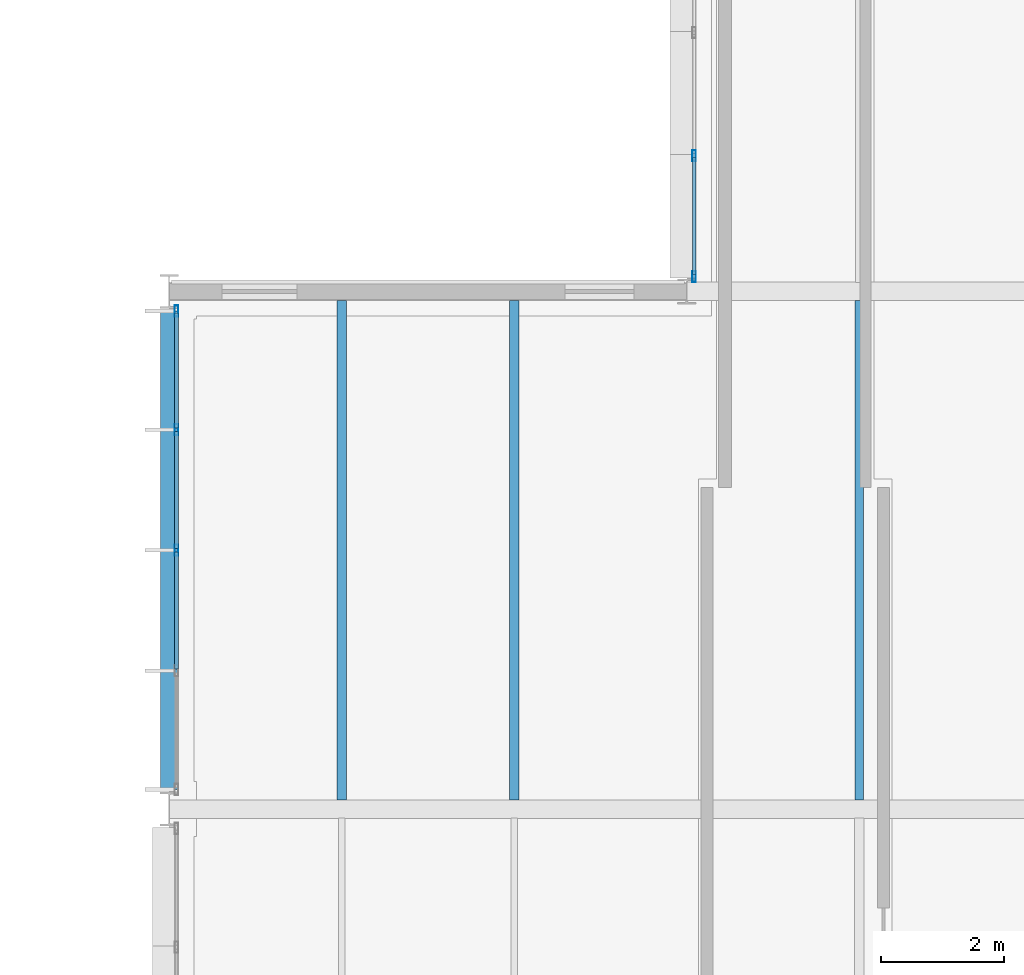
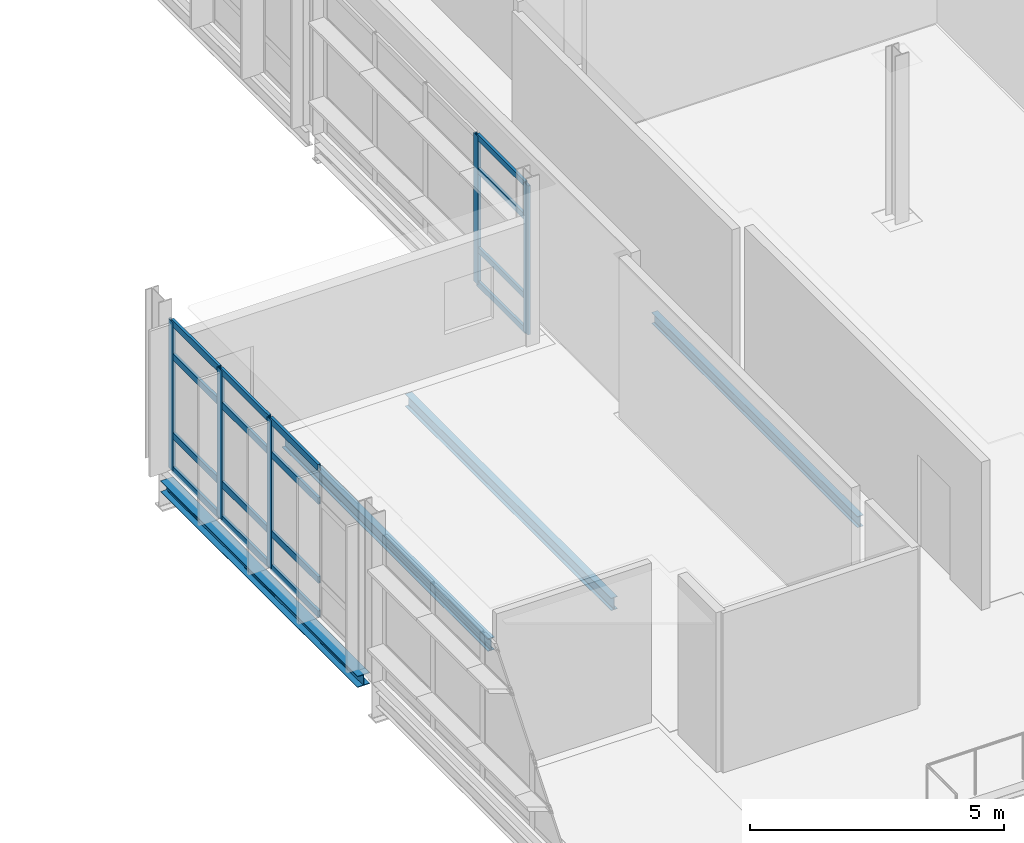
# One storey, part 58 of 151: 21 members, 4 beams, 2 elements without a shape of their own.
"""IFC4 building model written with IfcOpenShell, lengths in metres."""

from ifc_helpers import new_model, si_unit, direction, frame, origin, origin_2d, place, context, subcontext, project, spatial, hollow_rectangle, i_section, extrude, material, material_profile, profile_set, type_object, element, aggregate, save


model = new_model("IFC4")

# Units and contexts
model_context = context("Model", 3, precision=1e-05, world=origin(), true_north=direction((0.0, 1.0)))
body_context = subcontext(model_context, "Body", "Model", "MODEL_VIEW")
ifc_project = project(units=[si_unit("LENGTHUNIT", "METRE"), si_unit("AREAUNIT", "SQUARE_METRE"), si_unit("VOLUMEUNIT", "CUBIC_METRE"), si_unit("PLANEANGLEUNIT", "RADIAN"), si_unit("MASSUNIT", "GRAM", prefix="KILO")], contexts=[model_context])

# Site, building, storey
site_placement = place(None, origin())
site = spatial("IfcSite", under=ifc_project, at=site_placement, CompositionType="ELEMENT")
building_placement = place(site_placement, origin())
building = spatial("IfcBuilding", under=site, at=building_placement, Name="Mersafa Astral City Hall", CompositionType="ELEMENT")
storey_placement = place(building_placement, frame((0.0, 0.0, 9.89990234375)))
storey = spatial("IfcBuildingStorey", under=building, at=storey_placement, Name="L02", CompositionType="ELEMENT", Elevation=9.89990234375)

# Curtain wall, members
ifc_material_1 = material(Name="Anodised bronze aluminium framing", Category="aluminium")
curtain_wall_type_1 = type_object("IfcCurtainWallType", Name="ENV-CW-6", PredefinedType="USERDEFINED", material=ifc_material_1)
curtain_wall_1_placement = place(storey_placement, origin())
curtain_wall_1 = element("IfcCurtainWall", 1, at=curtain_wall_1_placement, inside=storey, type_object=curtain_wall_type_1, Name="L02 Unitised solar curtain wall 143", ObjectType="UNITISED CURTAIN WALL", PredefinedType="USERDEFINED")
ifc_material_profile_1 = material_profile(ifc_material_1, hollow_rectangle(XDim=0.06005859375, YDim=0.179931640625, WallThickness=0.00390625, at=origin_2d()), Name="RHS 60x180x4")
ifc_profile_set_1 = profile_set([ifc_material_profile_1], Name="Anodised bronze aluminium framing")
member_type_1 = type_object("IfcMemberType", Name="ENV-CW-MUL-1", PredefinedType="MULLION", material=ifc_profile_set_1)
member_1_placement = place(storey_placement, frame((100.919921875, 94.60595703125, -0.001953125), z_axis=(0.0, 0.0, 1.0), x_axis=(1.0, 0.0, 0.0)))
member_1 = element("IfcMember", 2, at=member_1_placement, type_object=member_type_1, Name="CW-6 mullion 4", PredefinedType="MULLION", context=body_context, shape_type="SweptSolid", body=[
    extrude(hollow_rectangle(XDim=0.06005859375, YDim=0.179931640625, WallThickness=0.00390625, at=origin_2d()), origin(), (0.0, 0.0, 1.0), 3.5791015625),
])
member_2_placement = place(storey_placement, frame((100.919921875, 92.64208984375, -0.001953125), z_axis=(0.0, 0.0, 1.0), x_axis=(1.0, 0.0, 0.0)))
member_2 = element("IfcMember", 3, at=member_2_placement, type_object=member_type_1, Name="CW-6 mullion 5", PredefinedType="MULLION", context=body_context, shape_type="SweptSolid", body=[
    extrude(hollow_rectangle(XDim=0.06005859375, YDim=0.179931640625, WallThickness=0.00390625, at=origin_2d()), origin(), (0.0, 0.0, 1.0), 3.5791015625),
])

curtain_wall_type_2 = type_object("IfcCurtainWallType", Name="ENV-CW-1", PredefinedType="USERDEFINED", material=ifc_material_1)
curtain_wall_2_placement = place(storey_placement, origin())
curtain_wall_2 = element("IfcCurtainWall", 4, at=curtain_wall_2_placement, inside=storey, type_object=curtain_wall_type_2, Name="L02 Unitised solar curtain wall 144", ObjectType="UNITISED CURTAIN WALL", PredefinedType="USERDEFINED")
member_3_placement = place(storey_placement, frame((92.52001953125, 92.0830078125, -0.001953125), z_axis=(0.0, 0.0, 1.0), x_axis=(1.0, 0.0, 0.0)))
member_3 = element("IfcMember", 5, at=member_3_placement, type_object=member_type_1, Name="CW-1 mullion 1", PredefinedType="MULLION", context=body_context, shape_type="SweptSolid", body=[
    extrude(hollow_rectangle(XDim=0.06005859375, YDim=0.179931640625, WallThickness=0.00390625, at=origin_2d()), origin(), (0.0, 0.0, 1.0), 3.5791015625),
])
member_4_placement = place(storey_placement, frame((92.52001953125, 90.156494140625, -0.001953125), z_axis=(0.0, 0.0, 1.0), x_axis=(1.0, 0.0, 0.0)))
member_4 = element("IfcMember", 6, at=member_4_placement, type_object=member_type_1, Name="CW-1 mullion 2", PredefinedType="MULLION", context=body_context, shape_type="SweptSolid", body=[
    extrude(hollow_rectangle(XDim=0.06005859375, YDim=0.179931640625, WallThickness=0.00390625, at=origin_2d()), origin(), (0.0, 0.0, 1.0), 3.5791015625),
])
member_5_placement = place(storey_placement, frame((92.52001953125, 88.199951171875, -0.001953125), z_axis=(0.0, 0.0, 1.0), x_axis=(1.0, 0.0, 0.0)))
member_5 = element("IfcMember", 7, at=member_5_placement, type_object=member_type_1, Name="CW-1 mullion 3", PredefinedType="MULLION", context=body_context, shape_type="SweptSolid", body=[
    extrude(hollow_rectangle(XDim=0.06005859375, YDim=0.179931640625, WallThickness=0.00390625, at=origin_2d()), origin(), (0.0, 0.0, 1.0), 3.5791015625),
])

# Member
ifc_material_profile_2 = material_profile(ifc_material_1, hollow_rectangle(XDim=0.06005859375, YDim=0.139892578125, WallThickness=0.00390625, at=origin_2d()), Name="RHS 60x140x4")
ifc_profile_set_2 = profile_set([ifc_material_profile_2], Name="Anodised bronze aluminium framing")
member_type_2 = type_object("IfcMemberType", Name="ENV-CW-TRN-1", PredefinedType="USERDEFINED", material=ifc_profile_set_2)
member_6_placement = place(storey_placement, frame((100.919921875, 94.575927734375, 0.028076171875), z_axis=(0.0, -1.0, 0.0), x_axis=(1.0, 0.0, 0.0)))
member_6 = element("IfcMember", 8, at=member_6_placement, type_object=member_type_2, Name="CW-6 transom 4.1", ObjectType="TRANSOM", PredefinedType="USERDEFINED", context=body_context, shape_type="SweptSolid", body=[
    extrude(hollow_rectangle(XDim=0.06005859375, YDim=0.139892578125, WallThickness=0.00390625, at=origin_2d()), origin(), (0.0, 0.0, 1.0), 1.90380859375),
])

member_7_placement = place(storey_placement, frame((100.919921875, 94.575927734375, 0.85009765625), z_axis=(0.0, -1.0, 0.0), x_axis=(1.0, 0.0, 0.0)))
member_7 = element("IfcMember", 9, at=member_7_placement, type_object=member_type_2, Name="CW-6 transom 4.2", ObjectType="TRANSOM", PredefinedType="USERDEFINED", context=body_context, shape_type="SweptSolid", body=[
    extrude(hollow_rectangle(XDim=0.06005859375, YDim=0.139892578125, WallThickness=0.00390625, at=origin_2d()), origin(), (0.0, 0.0, 1.0), 1.90380859375),
])

member_8_placement = place(storey_placement, frame((100.919921875, 94.575927734375, 2.75), z_axis=(0.0, -1.0, 0.0), x_axis=(1.0, 0.0, 0.0)))
member_8 = element("IfcMember", 10, at=member_8_placement, type_object=member_type_2, Name="CW-6 transom 4.3", ObjectType="TRANSOM", PredefinedType="USERDEFINED", context=body_context, shape_type="SweptSolid", body=[
    extrude(hollow_rectangle(XDim=0.06005859375, YDim=0.139892578125, WallThickness=0.00390625, at=origin_2d()), origin(), (0.0, 0.0, 1.0), 1.90380859375),
])

member_9_placement = place(storey_placement, frame((100.919921875, 94.575927734375, 3.547119140625), z_axis=(0.0, -1.0, 0.0), x_axis=(1.0, 0.0, 0.0)))
member_9 = element("IfcMember", 11, at=member_9_placement, type_object=member_type_2, Name="CW-6 transom 4.4", ObjectType="TRANSOM", PredefinedType="USERDEFINED", context=body_context, shape_type="SweptSolid", body=[
    extrude(hollow_rectangle(XDim=0.06005859375, YDim=0.139892578125, WallThickness=0.00390625, at=origin_2d()), origin(), (0.0, 0.0, 1.0), 1.90380859375),
])

aggregate(curtain_wall_1, [member_1, member_2, member_6, member_7, member_8, member_9])

ifc_material_profile_3 = material_profile(ifc_material_1, hollow_rectangle(XDim=0.06005859375, YDim=0.159912109375, WallThickness=0.00390625, at=origin_2d()), Name="RHS 60x160x4")
ifc_profile_set_3 = profile_set([ifc_material_profile_3], Name="Anodised bronze aluminium framing")
member_type_3 = type_object("IfcMemberType", Name="ENV-CW-TRN-2", PredefinedType="USERDEFINED", material=ifc_profile_set_3)
member_10_placement = place(storey_placement, frame((92.52001953125, 92.052978515625, 0.028076171875), z_axis=(0.0, -1.0, 0.0), x_axis=(1.0, 0.0, 0.0)))
member_10 = element("IfcMember", 12, at=member_10_placement, type_object=member_type_3, Name="CW-1 transom 1.1", ObjectType="TRANSOM", PredefinedType="USERDEFINED", context=body_context, shape_type="SweptSolid", body=[
    extrude(hollow_rectangle(XDim=0.06005859375, YDim=0.159912109375, WallThickness=0.00390625, at=origin_2d()), origin(), (0.0, 0.0, 1.0), 1.866455078125),
])

member_11_placement = place(storey_placement, frame((92.52001953125, 92.052978515625, 0.85009765625), z_axis=(0.0, -1.0, 0.0), x_axis=(1.0, 0.0, 0.0)))
member_11 = element("IfcMember", 13, at=member_11_placement, type_object=member_type_3, Name="CW-1 transom 1.2", ObjectType="TRANSOM", PredefinedType="USERDEFINED", context=body_context, shape_type="SweptSolid", body=[
    extrude(hollow_rectangle(XDim=0.06005859375, YDim=0.159912109375, WallThickness=0.00390625, at=origin_2d()), origin(), (0.0, 0.0, 1.0), 1.866455078125),
])

member_12_placement = place(storey_placement, frame((92.52001953125, 92.052978515625, 2.75), z_axis=(0.0, -1.0, 0.0), x_axis=(1.0, 0.0, 0.0)))
member_12 = element("IfcMember", 14, at=member_12_placement, type_object=member_type_3, Name="CW-1 transom 1.3", ObjectType="TRANSOM", PredefinedType="USERDEFINED", context=body_context, shape_type="SweptSolid", body=[
    extrude(hollow_rectangle(XDim=0.06005859375, YDim=0.159912109375, WallThickness=0.00390625, at=origin_2d()), origin(), (0.0, 0.0, 1.0), 1.866455078125),
])

member_13_placement = place(storey_placement, frame((92.52001953125, 92.052978515625, 3.547119140625), z_axis=(0.0, -1.0, 0.0), x_axis=(1.0, 0.0, 0.0)))
member_13 = element("IfcMember", 15, at=member_13_placement, type_object=member_type_3, Name="CW-1 transom 1.4", ObjectType="TRANSOM", PredefinedType="USERDEFINED", context=body_context, shape_type="SweptSolid", body=[
    extrude(hollow_rectangle(XDim=0.06005859375, YDim=0.159912109375, WallThickness=0.00390625, at=origin_2d()), origin(), (0.0, 0.0, 1.0), 1.866455078125),
])

member_14_placement = place(storey_placement, frame((92.52001953125, 90.12646484375, 0.028076171875), z_axis=(0.0, -1.0, 0.0), x_axis=(1.0, 0.0, 0.0)))
member_14 = element("IfcMember", 16, at=member_14_placement, type_object=member_type_3, Name="CW-1 transom 2.1", ObjectType="TRANSOM", PredefinedType="USERDEFINED", context=body_context, shape_type="SweptSolid", body=[
    extrude(hollow_rectangle(XDim=0.06005859375, YDim=0.159912109375, WallThickness=0.00390625, at=origin_2d()), origin(), (0.0, 0.0, 1.0), 1.896484375),
])

member_15_placement = place(storey_placement, frame((92.52001953125, 90.12646484375, 0.85009765625), z_axis=(0.0, -1.0, 0.0), x_axis=(1.0, 0.0, 0.0)))
member_15 = element("IfcMember", 17, at=member_15_placement, type_object=member_type_3, Name="CW-1 transom 2.2", ObjectType="TRANSOM", PredefinedType="USERDEFINED", context=body_context, shape_type="SweptSolid", body=[
    extrude(hollow_rectangle(XDim=0.06005859375, YDim=0.159912109375, WallThickness=0.00390625, at=origin_2d()), origin(), (0.0, 0.0, 1.0), 1.896484375),
])

member_16_placement = place(storey_placement, frame((92.52001953125, 90.12646484375, 2.75), z_axis=(0.0, -1.0, 0.0), x_axis=(1.0, 0.0, 0.0)))
member_16 = element("IfcMember", 18, at=member_16_placement, type_object=member_type_3, Name="CW-1 transom 2.3", ObjectType="TRANSOM", PredefinedType="USERDEFINED", context=body_context, shape_type="SweptSolid", body=[
    extrude(hollow_rectangle(XDim=0.06005859375, YDim=0.159912109375, WallThickness=0.00390625, at=origin_2d()), origin(), (0.0, 0.0, 1.0), 1.896484375),
])

member_17_placement = place(storey_placement, frame((92.52001953125, 90.12646484375, 3.547119140625), z_axis=(0.0, -1.0, 0.0), x_axis=(1.0, 0.0, 0.0)))
member_17 = element("IfcMember", 19, at=member_17_placement, type_object=member_type_3, Name="CW-1 transom 2.4", ObjectType="TRANSOM", PredefinedType="USERDEFINED", context=body_context, shape_type="SweptSolid", body=[
    extrude(hollow_rectangle(XDim=0.06005859375, YDim=0.159912109375, WallThickness=0.00390625, at=origin_2d()), origin(), (0.0, 0.0, 1.0), 1.896484375),
])

member_18_placement = place(storey_placement, frame((92.52001953125, 88.169921875, 0.028076171875), z_axis=(0.0, -1.0, 0.0), x_axis=(1.0, 0.0, 0.0)))
member_18 = element("IfcMember", 20, at=member_18_placement, type_object=member_type_3, Name="CW-1 transom 3.1", ObjectType="TRANSOM", PredefinedType="USERDEFINED", context=body_context, shape_type="SweptSolid", body=[
    extrude(hollow_rectangle(XDim=0.06005859375, YDim=0.159912109375, WallThickness=0.00390625, at=origin_2d()), origin(), (0.0, 0.0, 1.0), 1.896484375),
])

member_19_placement = place(storey_placement, frame((92.52001953125, 88.169921875, 0.85009765625), z_axis=(0.0, -1.0, 0.0), x_axis=(1.0, 0.0, 0.0)))
member_19 = element("IfcMember", 21, at=member_19_placement, type_object=member_type_3, Name="CW-1 transom 3.2", ObjectType="TRANSOM", PredefinedType="USERDEFINED", context=body_context, shape_type="SweptSolid", body=[
    extrude(hollow_rectangle(XDim=0.06005859375, YDim=0.159912109375, WallThickness=0.00390625, at=origin_2d()), origin(), (0.0, 0.0, 1.0), 1.896484375),
])

member_20_placement = place(storey_placement, frame((92.52001953125, 88.169921875, 2.75), z_axis=(0.0, -1.0, 0.0), x_axis=(1.0, 0.0, 0.0)))
member_20 = element("IfcMember", 22, at=member_20_placement, type_object=member_type_3, Name="CW-1 transom 3.3", ObjectType="TRANSOM", PredefinedType="USERDEFINED", context=body_context, shape_type="SweptSolid", body=[
    extrude(hollow_rectangle(XDim=0.06005859375, YDim=0.159912109375, WallThickness=0.00390625, at=origin_2d()), origin(), (0.0, 0.0, 1.0), 1.896484375),
])

member_21_placement = place(storey_placement, frame((92.52001953125, 88.169921875, 3.547119140625), z_axis=(0.0, -1.0, 0.0), x_axis=(1.0, 0.0, 0.0)))
member_21 = element("IfcMember", 23, at=member_21_placement, type_object=member_type_3, Name="CW-1 transom 3.4", ObjectType="TRANSOM", PredefinedType="USERDEFINED", context=body_context, shape_type="SweptSolid", body=[
    extrude(hollow_rectangle(XDim=0.06005859375, YDim=0.159912109375, WallThickness=0.00390625, at=origin_2d()), origin(), (0.0, 0.0, 1.0), 1.896484375),
])

aggregate(curtain_wall_2, [member_3, member_4, member_5, member_10, member_11, member_12, member_13, member_14, member_15, member_16, member_17, member_18, member_19, member_20, member_21])

# Beams
ifc_material_2 = material(Name="Steel S355", Category="steel")
ifc_material_profile_4 = material_profile(ifc_material_2, i_section(OverallWidth=0.135009765625, OverallDepth=0.27001953125, WebThickness=0.006591796875, FlangeThickness=0.01025390625, FilletRadius=0.014892578125, at=origin_2d()), Name="IPE 270")
ifc_profile_set_4 = profile_set([ifc_material_profile_4], Name="Steel S355")
beam_type_1 = type_object("IfcBeamType", Name="STR-BM-JOIST-IPE270", PredefinedType="JOIST", material=ifc_profile_set_4)
beam_1_placement = place(storey_placement, frame((103.60009765625, 84.14501953125, -0.3349609375), z_axis=(0.0, 1.0, 0.0), x_axis=(-1.0, 0.0, 0.0)))
element("IfcBeam", 24, at=beam_1_placement, inside=storey, type_object=beam_type_1, Name="L02 Composite secondary floor joist 460", PredefinedType="JOIST", context=body_context, shape_type="SweptSolid", body=[
    extrude(i_section(OverallWidth=0.135009765625, OverallDepth=0.27001953125, WebThickness=0.006591796875, FlangeThickness=0.01025390625, FilletRadius=0.014892578125, at=origin_2d()), origin(), (0.0, 0.0, 1.0), 8.10986328125),
])
ifc_material_profile_5 = material_profile(ifc_material_2, i_section(OverallWidth=0.14990234375, OverallDepth=0.300048828125, WebThickness=0.007080078125, FlangeThickness=0.0107421875, FilletRadius=0.014892578125, at=origin_2d()), Name="IPE 300")
ifc_profile_set_5 = profile_set([ifc_material_profile_5], Name="Steel S355")
beam_type_2 = type_object("IfcBeamType", Name="STR-BM-JOIST-IPE300", PredefinedType="JOIST", material=ifc_profile_set_5)
for number, where, z_axis, x_axis, name in (
    (25, (95.199951171875, 84.14501953125, -0.349853515625), (0.0, 1.0, 0.0), (-1.0, 0.0, 0.0), "L02 Composite secondary floor joist 448"),
    (26, (98.0, 84.14501953125, -0.349853515625), (0.0, 1.0, 0.0), (-1.0, 0.0, 0.0), "L02 Composite secondary floor joist 449"),
):
    element("IfcBeam", number, at=place(storey_placement, frame(where, z_axis=z_axis, x_axis=x_axis)), inside=storey, type_object=beam_type_2, Name=name, PredefinedType="JOIST", context=body_context, shape_type="SweptSolid", body=[
        extrude(i_section(OverallWidth=0.14990234375, OverallDepth=0.300048828125, WebThickness=0.007080078125, FlangeThickness=0.0107421875, FilletRadius=0.014892578125, at=origin_2d()), origin(), (0.0, 0.0, 1.0), 8.10986328125),
    ])
ifc_material_profile_6 = material_profile(ifc_material_2, i_section(OverallWidth=0.280029296875, OverallDepth=0.27001953125, WebThickness=0.008056640625, FlangeThickness=0.012939453125, FilletRadius=0.02392578125, at=origin_2d()), Name="HEA 280")
ifc_profile_set_6 = profile_set([ifc_material_profile_6], Name="Steel S355")
beam_type_3 = type_object("IfcBeamType", Name="STR-BM-SPANDREL-HEA280", PredefinedType="SPANDREL", material=ifc_profile_set_6)
beam_2_placement = place(storey_placement, frame((92.39990234375, 84.320068359375, -0.3349609375), z_axis=(0.0, 1.0, 0.0), x_axis=(-1.0, 0.0, 0.0)))
element("IfcBeam", 27, at=beam_2_placement, inside=storey, type_object=beam_type_3, Name="L02 Primary girder Y 11-10", PredefinedType="SPANDREL", context=body_context, shape_type="SweptSolid", body=[
    extrude(i_section(OverallWidth=0.280029296875, OverallDepth=0.27001953125, WebThickness=0.008056640625, FlangeThickness=0.012939453125, FilletRadius=0.02392578125, at=origin_2d()), origin(), (0.0, 0.0, 1.0), 7.760009765625),
])

save(model, "model.ifc")
